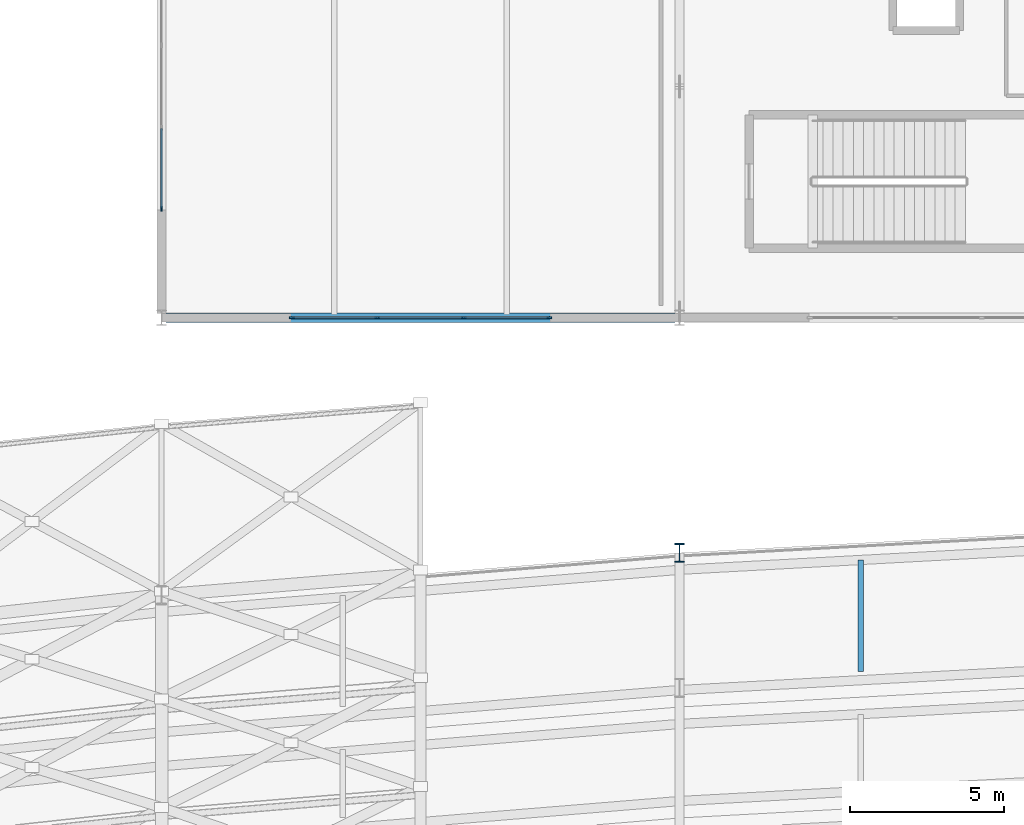
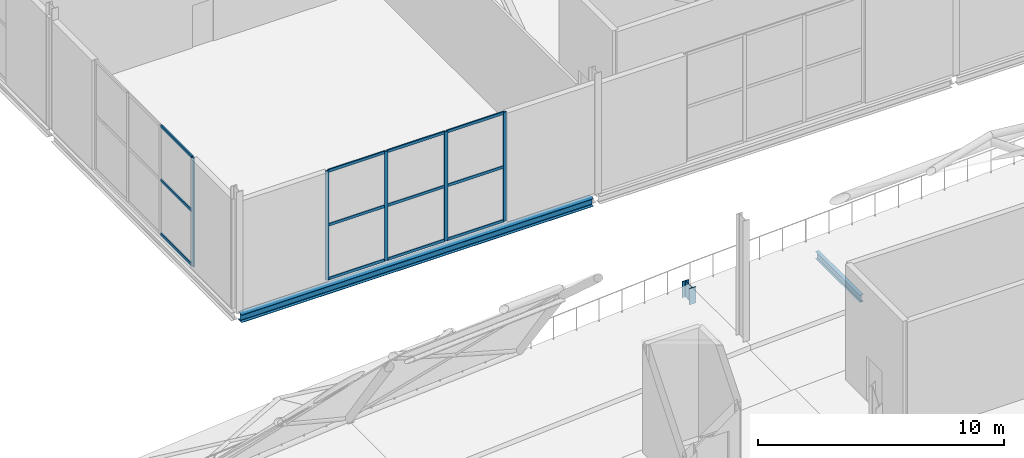
# One storey, part 27 of 100: 18 members, 2 beams, 2 elements without a shape of their own.
"""IFC4 building model written with IfcOpenShell, lengths in metres."""

from ifc_helpers import new_model, si_unit, direction, frame, origin, origin_2d, place, context, subcontext, project, spatial, rectangle, i_section, extrude, material, material_profile, profile_set, type_object, element, aggregate, save


model = new_model("IFC4")

# Units and contexts
model_context = context("Model", 3, precision=1e-05, world=origin(), true_north=direction((0.0, 1.0)))
body_context = subcontext(model_context, "Body", "Model", "MODEL_VIEW")
ifc_project = project(units=[si_unit("LENGTHUNIT", "METRE"), si_unit("AREAUNIT", "SQUARE_METRE"), si_unit("VOLUMEUNIT", "CUBIC_METRE"), si_unit("PLANEANGLEUNIT", "RADIAN"), si_unit("MASSUNIT", "GRAM", prefix="KILO")], contexts=[model_context])

# Site, building, storey
site_placement = place(None, origin())
site = spatial("IfcSite", under=ifc_project, at=site_placement, CompositionType="ELEMENT")
building_placement = place(site_placement, origin())
building = spatial("IfcBuilding", under=site, at=building_placement, Name="Kimbaza Rail Terminus", CompositionType="ELEMENT")
storey_placement = place(building_placement, frame((0.0, 0.0, 10.800048828125)))
storey = spatial("IfcBuildingStorey", under=building, at=storey_placement, Name="L02", CompositionType="ELEMENT", Elevation=10.800048828125)

# Curtain wall, members
ifc_material_1 = material(Name="Anodised aluminium framing and solar low-E glazing", Category="aluminium")
curtain_wall_type = type_object("IfcCurtainWallType", Name="ARC-CW-OP1", PredefinedType="USERDEFINED", material=ifc_material_1)
curtain_wall_1_placement = place(storey_placement, origin())
curtain_wall_1 = element("IfcCurtainWall", 1, at=curtain_wall_1_placement, inside=storey, type_object=curtain_wall_type, Name="Operations South Curtain Wall L02 Bay 1", ObjectType="UNITISED CURTAIN WALL", PredefinedType="USERDEFINED")
ifc_material_2 = material(Name="Anodised architectural aluminium", Category="aluminium")
ifc_material_profile_1 = material_profile(ifc_material_2, rectangle(XDim=0.06201171875, YDim=0.1650390625, at=origin_2d()), Name="MULLION 62x165")
ifc_profile_set_1 = profile_set([ifc_material_profile_1], Name="Anodised architectural aluminium")
member_type_1 = type_object("IfcMemberType", Name="ARC-CWM-05", PredefinedType="MULLION", material=ifc_profile_set_1)
member_1_placement = place(storey_placement, frame((59.430908203125, 103.0, 0.0), z_axis=(0.0, 0.0, 1.0), x_axis=(0.0, 1.0, 0.0)))
member_1 = element("IfcMember", 2, at=member_1_placement, type_object=member_type_1, Name="CW-05 mullion 1", PredefinedType="MULLION", context=body_context, shape_type="SweptSolid", body=[
    extrude(rectangle(XDim=0.06201171875, YDim=0.1650390625, at=origin_2d()), origin(), (0.0, 0.0, 1.0), 5.405029296875),
])
member_2_placement = place(storey_placement, frame((62.199951171875, 103.0, 0.0), z_axis=(0.0, 0.0, 1.0), x_axis=(0.0, 1.0, 0.0)))
member_2 = element("IfcMember", 3, at=member_2_placement, type_object=member_type_1, Name="CW-05 mullion 2", PredefinedType="MULLION", context=body_context, shape_type="SweptSolid", body=[
    extrude(rectangle(XDim=0.06201171875, YDim=0.1650390625, at=origin_2d()), origin(), (0.0, 0.0, 1.0), 5.405029296875),
])
member_3_placement = place(storey_placement, frame((65.0, 103.0, 0.0), z_axis=(0.0, 0.0, 1.0), x_axis=(0.0, 1.0, 0.0)))
member_3 = element("IfcMember", 4, at=member_3_placement, type_object=member_type_1, Name="CW-05 mullion 3", PredefinedType="MULLION", context=body_context, shape_type="SweptSolid", body=[
    extrude(rectangle(XDim=0.06201171875, YDim=0.1650390625, at=origin_2d()), origin(), (0.0, 0.0, 1.0), 5.405029296875),
])
member_4_placement = place(storey_placement, frame((67.76904296875, 103.0, 0.0), z_axis=(0.0, 0.0, 1.0), x_axis=(0.0, 1.0, 0.0)))
member_4 = element("IfcMember", 5, at=member_4_placement, type_object=member_type_1, Name="CW-05 mullion 4", PredefinedType="MULLION", context=body_context, shape_type="SweptSolid", body=[
    extrude(rectangle(XDim=0.06201171875, YDim=0.1650390625, at=origin_2d()), origin(), (0.0, 0.0, 1.0), 5.405029296875),
])

# Curtain wall, member
curtain_wall_2_placement = place(storey_placement, origin())
curtain_wall_2 = element("IfcCurtainWall", 6, at=curtain_wall_2_placement, inside=storey, type_object=curtain_wall_type, Name="Operations W Curtain Wall L02.1", ObjectType="UNITISED CURTAIN WALL", PredefinedType="USERDEFINED")
member_5_placement = place(storey_placement, frame((55.199951171875, 106.531005859375, 0.0), z_axis=(0.0, 0.0, 1.0), x_axis=(-1.0, 0.0, 0.0)))
member_5 = element("IfcMember", 7, at=member_5_placement, type_object=member_type_1, Name="CW-05 mullion 1", PredefinedType="MULLION", context=body_context, shape_type="SweptSolid", body=[
    extrude(rectangle(XDim=0.06201171875, YDim=0.1650390625, at=origin_2d()), origin(), (0.0, 0.0, 1.0), 5.405029296875),
])

# Member
ifc_material_3 = material(Name="Anodised architectural aluminium", Category="aluminium")
ifc_material_profile_2 = material_profile(ifc_material_3, rectangle(XDim=0.06201171875, YDim=0.135009765625, at=origin_2d()), Name="TRANSOM 62x135")
ifc_profile_set_2 = profile_set([ifc_material_profile_2], Name="Anodised architectural aluminium")
member_type_2 = type_object("IfcMemberType", Name="ARC-CWT-05", PredefinedType="USERDEFINED", material=ifc_profile_set_2)
member_6_placement = place(storey_placement, frame((59.4619140625, 103.0, 0.031005859375), z_axis=(1.0, 0.0, 0.0), x_axis=(0.0, 1.0, 0.0)))
member_6 = element("IfcMember", 8, at=member_6_placement, type_object=member_type_2, Name="CW-05 transom 1.1", ObjectType="TRANSOM", PredefinedType="USERDEFINED", context=body_context, shape_type="SweptSolid", body=[
    extrude(rectangle(XDim=0.06201171875, YDim=0.135009765625, at=origin_2d()), origin(), (0.0, 0.0, 1.0), 2.70703125),
])

member_7_placement = place(storey_placement, frame((59.4619140625, 103.0, 2.702392578125), z_axis=(1.0, 0.0, 0.0), x_axis=(0.0, 1.0, 0.0)))
member_7 = element("IfcMember", 9, at=member_7_placement, type_object=member_type_2, Name="CW-05 transom 1.2", ObjectType="TRANSOM", PredefinedType="USERDEFINED", context=body_context, shape_type="SweptSolid", body=[
    extrude(rectangle(XDim=0.06201171875, YDim=0.135009765625, at=origin_2d()), origin(), (0.0, 0.0, 1.0), 2.70703125),
])

member_8_placement = place(storey_placement, frame((59.4619140625, 103.0, 5.3740234375), z_axis=(1.0, 0.0, 0.0), x_axis=(0.0, 1.0, 0.0)))
member_8 = element("IfcMember", 10, at=member_8_placement, type_object=member_type_2, Name="CW-05 transom 1.3", ObjectType="TRANSOM", PredefinedType="USERDEFINED", context=body_context, shape_type="SweptSolid", body=[
    extrude(rectangle(XDim=0.06201171875, YDim=0.135009765625, at=origin_2d()), origin(), (0.0, 0.0, 1.0), 2.70703125),
])

member_9_placement = place(storey_placement, frame((62.23095703125, 103.0, 0.031005859375), z_axis=(1.0, 0.0, 0.0), x_axis=(0.0, 1.0, 0.0)))
member_9 = element("IfcMember", 11, at=member_9_placement, type_object=member_type_2, Name="CW-05 transom 2.1", ObjectType="TRANSOM", PredefinedType="USERDEFINED", context=body_context, shape_type="SweptSolid", body=[
    extrude(rectangle(XDim=0.06201171875, YDim=0.135009765625, at=origin_2d()), origin(), (0.0, 0.0, 1.0), 2.738037109375),
])

member_10_placement = place(storey_placement, frame((62.23095703125, 103.0, 2.702392578125), z_axis=(1.0, 0.0, 0.0), x_axis=(0.0, 1.0, 0.0)))
member_10 = element("IfcMember", 12, at=member_10_placement, type_object=member_type_2, Name="CW-05 transom 2.2", ObjectType="TRANSOM", PredefinedType="USERDEFINED", context=body_context, shape_type="SweptSolid", body=[
    extrude(rectangle(XDim=0.06201171875, YDim=0.135009765625, at=origin_2d()), origin(), (0.0, 0.0, 1.0), 2.738037109375),
])

member_11_placement = place(storey_placement, frame((62.23095703125, 103.0, 5.3740234375), z_axis=(1.0, 0.0, 0.0), x_axis=(0.0, 1.0, 0.0)))
member_11 = element("IfcMember", 13, at=member_11_placement, type_object=member_type_2, Name="CW-05 transom 2.3", ObjectType="TRANSOM", PredefinedType="USERDEFINED", context=body_context, shape_type="SweptSolid", body=[
    extrude(rectangle(XDim=0.06201171875, YDim=0.135009765625, at=origin_2d()), origin(), (0.0, 0.0, 1.0), 2.738037109375),
])

member_12_placement = place(storey_placement, frame((65.031005859375, 103.0, 0.031005859375), z_axis=(1.0, 0.0, 0.0), x_axis=(0.0, 1.0, 0.0)))
member_12 = element("IfcMember", 14, at=member_12_placement, type_object=member_type_2, Name="CW-05 transom 3.1", ObjectType="TRANSOM", PredefinedType="USERDEFINED", context=body_context, shape_type="SweptSolid", body=[
    extrude(rectangle(XDim=0.06201171875, YDim=0.135009765625, at=origin_2d()), origin(), (0.0, 0.0, 1.0), 2.70703125),
])

member_13_placement = place(storey_placement, frame((65.031005859375, 103.0, 2.702392578125), z_axis=(1.0, 0.0, 0.0), x_axis=(0.0, 1.0, 0.0)))
member_13 = element("IfcMember", 15, at=member_13_placement, type_object=member_type_2, Name="CW-05 transom 3.2", ObjectType="TRANSOM", PredefinedType="USERDEFINED", context=body_context, shape_type="SweptSolid", body=[
    extrude(rectangle(XDim=0.06201171875, YDim=0.135009765625, at=origin_2d()), origin(), (0.0, 0.0, 1.0), 2.70703125),
])

member_14_placement = place(storey_placement, frame((65.031005859375, 103.0, 5.3740234375), z_axis=(1.0, 0.0, 0.0), x_axis=(0.0, 1.0, 0.0)))
member_14 = element("IfcMember", 16, at=member_14_placement, type_object=member_type_2, Name="CW-05 transom 3.3", ObjectType="TRANSOM", PredefinedType="USERDEFINED", context=body_context, shape_type="SweptSolid", body=[
    extrude(rectangle(XDim=0.06201171875, YDim=0.135009765625, at=origin_2d()), origin(), (0.0, 0.0, 1.0), 2.70703125),
])

aggregate(curtain_wall_1, [member_1, member_2, member_3, member_4, member_6, member_7, member_8, member_9, member_10, member_11, member_12, member_13, member_14])

member_15_placement = place(storey_placement, frame((55.199951171875, 106.56201171875, 0.031005859375), z_axis=(0.0, 1.0, 0.0), x_axis=(-1.0, 0.0, 0.0)))
member_15 = element("IfcMember", 17, at=member_15_placement, type_object=member_type_2, Name="CW-05 transom 1.1", ObjectType="TRANSOM", PredefinedType="USERDEFINED", context=body_context, shape_type="SweptSolid", body=[
    extrude(rectangle(XDim=0.06201171875, YDim=0.135009765625, at=origin_2d()), origin(), (0.0, 0.0, 1.0), 2.57373046875),
])

member_16_placement = place(storey_placement, frame((55.199951171875, 106.56201171875, 2.702392578125), z_axis=(0.0, 1.0, 0.0), x_axis=(-1.0, 0.0, 0.0)))
member_16 = element("IfcMember", 18, at=member_16_placement, type_object=member_type_2, Name="CW-05 transom 1.2", ObjectType="TRANSOM", PredefinedType="USERDEFINED", context=body_context, shape_type="SweptSolid", body=[
    extrude(rectangle(XDim=0.06201171875, YDim=0.135009765625, at=origin_2d()), origin(), (0.0, 0.0, 1.0), 2.57373046875),
])

member_17_placement = place(storey_placement, frame((55.199951171875, 106.56201171875, 5.3740234375), z_axis=(0.0, 1.0, 0.0), x_axis=(-1.0, 0.0, 0.0)))
member_17 = element("IfcMember", 19, at=member_17_placement, type_object=member_type_2, Name="CW-05 transom 1.3", ObjectType="TRANSOM", PredefinedType="USERDEFINED", context=body_context, shape_type="SweptSolid", body=[
    extrude(rectangle(XDim=0.06201171875, YDim=0.135009765625, at=origin_2d()), origin(), (0.0, 0.0, 1.0), 2.57373046875),
])

aggregate(curtain_wall_2, [member_5, member_15, member_16, member_17])

# Beams
ifc_material_4 = material(Name="Steel S355", Category="steel")
ifc_material_profile_3 = material_profile(ifc_material_4, i_section(OverallWidth=0.300048828125, OverallDepth=0.389892578125, WebThickness=0.010986328125, FlangeThickness=0.01904296875, FilletRadius=0.027099609375, at=origin_2d()), Name="HEA 400")
ifc_profile_set_3 = profile_set([ifc_material_profile_3], Name="Steel S355")
beam_type_1 = type_object("IfcBeamType", Name="STR-BM-HEA400", PredefinedType="SPANDREL", material=ifc_profile_set_3)
beam_1_placement = place(storey_placement, frame((55.345947265625, 103.0, -0.43505859375), z_axis=(1.0, 0.0, 0.0), x_axis=(0.0, 1.0, 0.0)))
element("IfcBeam", 20, at=beam_1_placement, inside=storey, type_object=beam_type_1, Name="Operations Girder L02 X0-Y0", PredefinedType="SPANDREL", context=body_context, shape_type="SweptSolid", body=[
    extrude(i_section(OverallWidth=0.300048828125, OverallDepth=0.389892578125, WebThickness=0.010986328125, FlangeThickness=0.01904296875, FilletRadius=0.027099609375, at=origin_2d()), origin(), (0.0, 0.0, 1.0), 16.508056640625),
])
ifc_material_5 = material(Name="Steel S355", Category="steel")
ifc_material_profile_4 = material_profile(ifc_material_5, i_section(OverallWidth=0.169921875, OverallDepth=0.360107421875, WebThickness=0.008056640625, FlangeThickness=0.0126953125, FilletRadius=0.01806640625, at=origin_2d()), Name="IPE 360")
ifc_profile_set_4 = profile_set([ifc_material_profile_4], Name="Steel S355")
beam_type_2 = type_object("IfcBeamType", Name="STR-BM-IPE360", PredefinedType="JOIST", material=ifc_profile_set_4)
beam_2_placement = place(storey_placement, frame((77.8798828125, 91.526611328125, -0.43994140625), z_axis=(0.0, 1.0, 0.0), x_axis=(-1.0, 0.0, 0.0)))
element("IfcBeam", 21, at=beam_2_placement, inside=storey, type_object=beam_type_2, Name="Viaduct Diaphragm P4 Bay 04", PredefinedType="JOIST", context=body_context, shape_type="SweptSolid", body=[
    extrude(i_section(OverallWidth=0.169921875, OverallDepth=0.360107421875, WebThickness=0.008056640625, FlangeThickness=0.0126953125, FilletRadius=0.01806640625, at=origin_2d()), origin(), (0.0, 0.0, 1.0), 3.610107421875),
])

# Member
ifc_material_6 = material(Name="Steel S355", Category="steel")
ifc_material_profile_5 = material_profile(ifc_material_6, i_section(OverallWidth=0.304931640625, OverallDepth=0.6201171875, WebThickness=0.02099609375, FlangeThickness=0.0400390625, FilletRadius=0.027099609375, at=origin_2d()), Name="HEM 600")
ifc_profile_set_5 = profile_set([ifc_material_profile_5], Name="Steel S355")
member_type_3 = type_object("IfcMemberType", Name="STR-MB-HEM600", PredefinedType="POST", material=ifc_profile_set_5)
member_18_placement = place(storey_placement, frame((72.0, 95.375732421875, -0.800048828125), z_axis=(0.0, 0.0, 1.0), x_axis=(1.0, 0.0, 0.0)))
element("IfcMember", 22, at=member_18_placement, inside=storey, type_object=member_type_3, Name="Vault Springing Shoe Pedestal N VP-04", PredefinedType="POST", context=body_context, shape_type="SweptSolid", body=[
    extrude(i_section(OverallWidth=0.304931640625, OverallDepth=0.6201171875, WebThickness=0.02099609375, FlangeThickness=0.0400390625, FilletRadius=0.027099609375, at=origin_2d()), origin(), (0.0, 0.0, 1.0), 0.800048828125),
])

save(model, "model.ifc")
